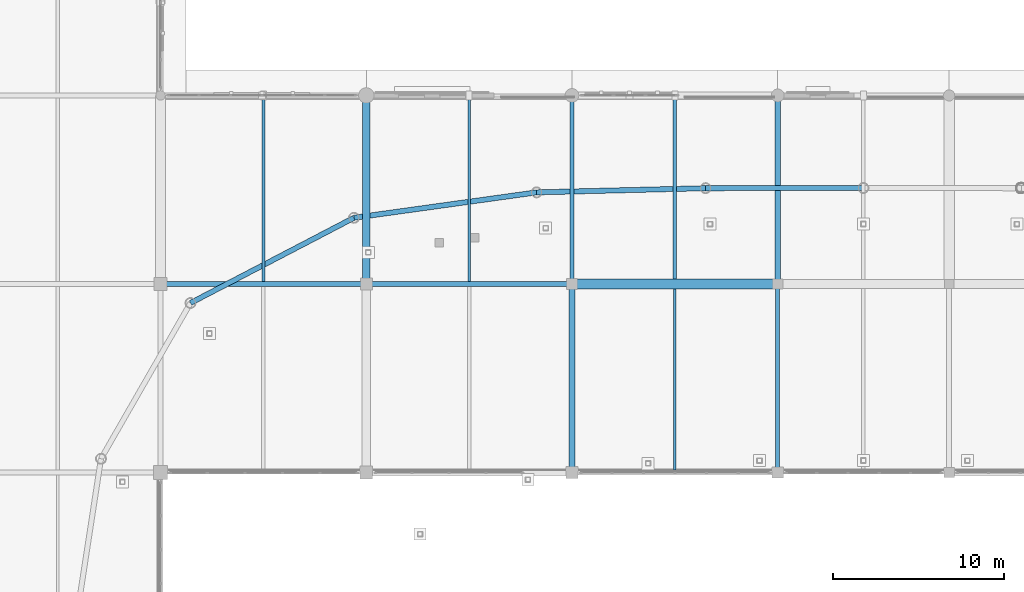
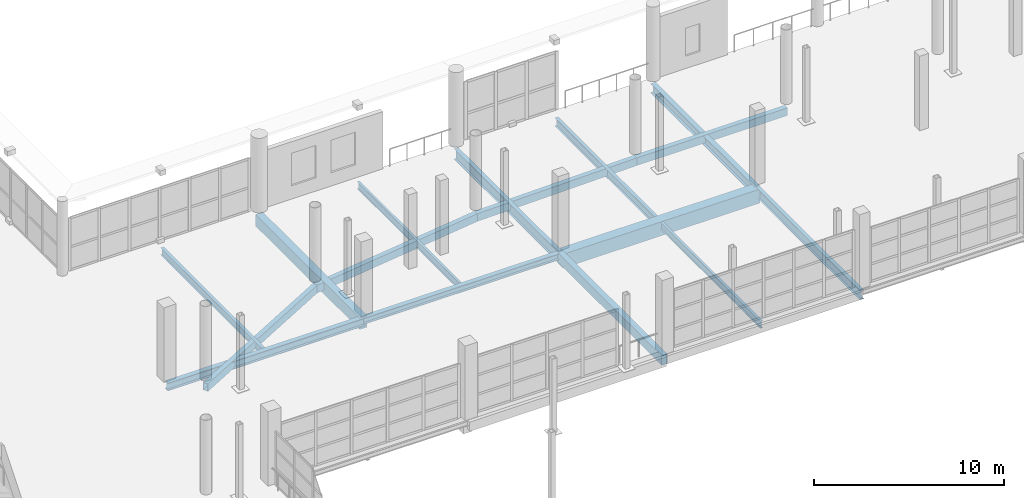
# One storey, part 48 of 143: 16 beams.
"""IFC4 building model written with IfcOpenShell, lengths in metres."""

from ifc_helpers import new_model, si_unit, direction, frame, origin, origin_2d, place, context, subcontext, project, spatial, rectangle, hollow_rectangle, i_section, extrude, material, material_profile, profile_set, type_object, element, save


model = new_model("IFC4")

# Units and contexts
model_context = context("Model", 3, precision=1e-05, world=origin(), true_north=direction((0.0, 1.0)))
body_context = subcontext(model_context, "Body", "Model", "MODEL_VIEW")
ifc_project = project(units=[si_unit("LENGTHUNIT", "METRE"), si_unit("AREAUNIT", "SQUARE_METRE"), si_unit("VOLUMEUNIT", "CUBIC_METRE"), si_unit("PLANEANGLEUNIT", "RADIAN"), si_unit("MASSUNIT", "GRAM", prefix="KILO")], contexts=[model_context])

# Site, building, storey
site_placement = place(None, origin())
site = spatial("IfcSite", under=ifc_project, at=site_placement, CompositionType="ELEMENT")
building_placement = place(site_placement, origin())
building = spatial("IfcBuilding", under=site, at=building_placement, Name="Luwafu Chhajja Arena", CompositionType="ELEMENT")
storey_placement = place(building_placement, frame((0.0, 0.0, 5.39990234375)))
storey = spatial("IfcBuildingStorey", under=building, at=storey_placement, Name="L01", CompositionType="ELEMENT", Elevation=5.39990234375)

# Beams
ifc_material_1 = material(Name="Concrete C35/45", Category="concrete")
ifc_material_profile_1 = material_profile(ifc_material_1, rectangle(XDim=0.35009765625, YDim=0.60009765625, at=origin_2d()), Name="RC 350x600")
ifc_profile_set_1 = profile_set([ifc_material_profile_1], Name="Concrete C35/45")
beam_type_1 = type_object("IfcBeamType", Name="Arcade Tie Beam RC 350x600", PredefinedType="BEAM", material=ifc_profile_set_1)
beam_1_placement = place(storey_placement, frame((82.0, 77.0, -0.6298828125), z_axis=(0.0, 1.0, 0.0), x_axis=(-1.0, 0.0, 0.0)))
element("IfcBeam", 1, at=beam_1_placement, inside=storey, type_object=beam_type_1, Name="L01 Grid Beam 8/H-J", PredefinedType="BEAM", context=body_context, shape_type="SweptSolid", body=[
    extrude(rectangle(XDim=0.35009765625, YDim=0.60009765625, at=origin_2d()), origin(), (0.0, 0.0, 1.0), 11.0),
])
ifc_material_profile_2 = material_profile(ifc_material_1, rectangle(XDim=0.60009765625, YDim=0.89990234375, at=origin_2d()), Name="RC 600x900")
ifc_profile_set_2 = profile_set([ifc_material_profile_2], Name="Concrete C35/45")
beam_type_2 = type_object("IfcBeamType", Name="Concourse Primary Girder RC 600x900", PredefinedType="BEAM", material=ifc_profile_set_2)
beam_2_placement = place(storey_placement, frame((82.0, 88.0, -0.77978515625), z_axis=(1.0, 0.0, 0.0), x_axis=(0.0, 1.0, 0.0)))
element("IfcBeam", 2, at=beam_2_placement, inside=storey, type_object=beam_type_2, Name="L01 Grid Beam 8-9/J", PredefinedType="BEAM", context=body_context, shape_type="SweptSolid", body=[
    extrude(rectangle(XDim=0.60009765625, YDim=0.89990234375, at=origin_2d()), origin(), (0.0, 0.0, 1.0), 12.0),
])
ifc_material_2 = material(Name="Steel S355", Category="steel")
ifc_material_profile_3 = material_profile(ifc_material_2, i_section(OverallWidth=0.15283203125, OverallDepth=0.45458984375, WebThickness=0.008056640625, FlangeThickness=0.01318359375, at=origin_2d()), Name="UB 457x152x60")
ifc_profile_set_3 = profile_set([ifc_material_profile_3], Name="Steel S355")
beam_type_3 = type_object("IfcBeamType", Name="Floor Joist UB 457x152x60", PredefinedType="JOIST", material=ifc_profile_set_3)
beam_3_placement = place(storey_placement, frame((76.0, 88.14990234375, -0.55712890625), z_axis=(0.0, 1.0, 0.0), x_axis=(-1.0, 0.0, 0.0)))
element("IfcBeam", 3, at=beam_3_placement, inside=storey, type_object=beam_type_3, Name="L01 Secondary Joist 7-8/J", PredefinedType="JOIST", context=body_context, shape_type="SweptSolid", body=[
    extrude(i_section(OverallWidth=0.15283203125, OverallDepth=0.45458984375, WebThickness=0.008056640625, FlangeThickness=0.01318359375, at=origin_2d()), origin(), (0.0, 0.0, 1.0), 10.767333984375),
])
beam_4_placement = place(storey_placement, frame((88.0, 77.14990234375, -0.55712890625), z_axis=(0.0, 1.0, 0.0), x_axis=(-1.0, 0.0, 0.0)))
element("IfcBeam", 4, at=beam_4_placement, inside=storey, type_object=beam_type_3, Name="L01 Secondary Joist 8-9/H", PredefinedType="JOIST", context=body_context, shape_type="SweptSolid", body=[
    extrude(i_section(OverallWidth=0.15283203125, OverallDepth=0.45458984375, WebThickness=0.008056640625, FlangeThickness=0.01318359375, at=origin_2d()), origin(), (0.0, 0.0, 1.0), 10.550048828125),
])
ifc_material_profile_4 = material_profile(ifc_material_2, i_section(OverallWidth=0.19140625, OverallDepth=0.4599609375, WebThickness=0.010009765625, FlangeThickness=0.01611328125, at=origin_2d()), Name="UB 457x191x82")
ifc_profile_set_4 = profile_set([ifc_material_profile_4], Name="Steel S355")
beam_type_4 = type_object("IfcBeamType", Name="Floor Joist UB 457x191x82", PredefinedType="JOIST", material=ifc_profile_set_4)
beam_5_placement = place(storey_placement, frame((64.0, 88.14990234375, -0.559814453125), z_axis=(0.0, 1.0, 0.0), x_axis=(-1.0, 0.0, 0.0)))
element("IfcBeam", 5, at=beam_5_placement, inside=storey, type_object=beam_type_4, Name="L01 Secondary Joist 6-7/J", PredefinedType="JOIST", context=body_context, shape_type="SweptSolid", body=[
    extrude(i_section(OverallWidth=0.19140625, OverallDepth=0.4599609375, WebThickness=0.010009765625, FlangeThickness=0.01611328125, at=origin_2d()), origin(), (0.0, 0.0, 1.0), 10.7001953125),
])
ifc_material_profile_5 = material_profile(ifc_material_2, i_section(OverallWidth=0.2099609375, OverallDepth=0.53662109375, WebThickness=0.0107421875, FlangeThickness=0.017333984375, at=origin_2d()), Name="UB 533x210x101")
ifc_profile_set_5 = profile_set([ifc_material_profile_5], Name="Steel S355")
beam_type_5 = type_object("IfcBeamType", Name="Floor Joist UB 533x210x101", PredefinedType="JOIST", material=ifc_profile_set_5)
beam_6_placement = place(storey_placement, frame((88.0, 88.300048828125, -0.59814453125), z_axis=(0.0, 1.0, 0.0), x_axis=(-1.0, 0.0, 0.0)))
element("IfcBeam", 6, at=beam_6_placement, inside=storey, type_object=beam_type_5, Name="L01 Secondary Joist 8-9/J", PredefinedType="JOIST", context=body_context, shape_type="SweptSolid", body=[
    extrude(i_section(OverallWidth=0.2099609375, OverallDepth=0.53662109375, WebThickness=0.0107421875, FlangeThickness=0.017333984375, at=origin_2d()), origin(), (0.0, 0.0, 1.0), 10.5),
])
ifc_material_profile_6 = material_profile(ifc_material_2, hollow_rectangle(XDim=0.300048828125, YDim=0.5, WallThickness=0.02001953125, at=origin_2d()), Name="RHS 500x300x20")
ifc_profile_set_6 = profile_set([ifc_material_profile_6], Name="Steel S355")
beam_type_6 = type_object("IfcBeamType", Name="Pleated Drum Spandrel Beam RHS 500x300", PredefinedType="SPANDREL", material=ifc_profile_set_6)
beam_7_placement = place(storey_placement, frame((99.0, 93.60009765625, -0.579833984375), z_axis=(-0.999999155928, -0.001299285621, 0.0), x_axis=(0.001299285621, -0.999999155928, 0.0)))
element("IfcBeam", 7, at=beam_7_placement, inside=storey, type_object=beam_type_6, Name="L01 Drum Ring Spandrel D09-D10", PredefinedType="SPANDREL", context=body_context, shape_type="SweptSolid", body=[
    extrude(hollow_rectangle(XDim=0.300048828125, YDim=0.5, WallThickness=0.02001953125, at=origin_2d()), origin(), (0.0, 0.0, 1.0), 9.207275390625),
])
beam_8_placement = place(storey_placement, frame((89.792724609375, 93.588134765625, -0.579833984375), z_axis=(-0.999695420837, -0.024679253567, 0.0), x_axis=(0.024679253567, -0.999695420837, 0.0)))
element("IfcBeam", 8, at=beam_8_placement, inside=storey, type_object=beam_type_6, Name="L01 Drum Ring Spandrel D10-D11", PredefinedType="SPANDREL", context=body_context, shape_type="SweptSolid", body=[
    extrude(hollow_rectangle(XDim=0.300048828125, YDim=0.5, WallThickness=0.02001953125, at=origin_2d()), origin(), (0.0, 0.0, 1.0), 9.86279296875),
])
beam_9_placement = place(storey_placement, frame((79.932861328125, 93.3447265625, -0.579833984375), z_axis=(-0.990458730054, -0.137809666058, 0.0), x_axis=(0.137809666058, -0.990458730054, 0.0)))
element("IfcBeam", 9, at=beam_9_placement, inside=storey, type_object=beam_type_6, Name="L01 Drum Ring Spandrel D11-D12", PredefinedType="SPANDREL", context=body_context, shape_type="SweptSolid", body=[
    extrude(hollow_rectangle(XDim=0.300048828125, YDim=0.5, WallThickness=0.02001953125, at=origin_2d()), origin(), (0.0, 0.0, 1.0), 10.75341796875),
])
beam_10_placement = place(storey_placement, frame((69.281982421875, 91.86279296875, -0.579833984375), z_axis=(-0.886755170812, -0.462239404463, 0.0), x_axis=(0.462239404463, -0.886755170812, 0.0)))
element("IfcBeam", 10, at=beam_10_placement, inside=storey, type_object=beam_type_6, Name="L01 Drum Ring Spandrel D12-D13", PredefinedType="SPANDREL", context=body_context, shape_type="SweptSolid", body=[
    extrude(hollow_rectangle(XDim=0.300048828125, YDim=0.5, WallThickness=0.02001953125, at=origin_2d()), origin(), (0.0, 0.0, 1.0), 10.756103515625),
])
ifc_material_profile_7 = material_profile(ifc_material_2, i_section(OverallWidth=0.300048828125, OverallDepth=0.5, WebThickness=0.014404296875, FlangeThickness=0.028076171875, at=origin_2d()), Name="HEB 500")
ifc_profile_set_7 = profile_set([ifc_material_profile_7], Name="Steel S355")
beam_type_7 = type_object("IfcBeamType", Name="Steel Atrium Tie Girder HEB 500", PredefinedType="BEAM", material=ifc_profile_set_7)
beam_11_placement = place(storey_placement, frame((58.0, 88.0, -0.579833984375), z_axis=(1.0, 0.0, 0.0), x_axis=(0.0, 1.0, 0.0)))
element("IfcBeam", 11, at=beam_11_placement, inside=storey, type_object=beam_type_7, Name="L01 Grid Beam 6-7/J", PredefinedType="BEAM", context=body_context, shape_type="SweptSolid", body=[
    extrude(i_section(OverallWidth=0.300048828125, OverallDepth=0.5, WebThickness=0.014404296875, FlangeThickness=0.028076171875, at=origin_2d()), origin(), (0.0, 0.0, 1.0), 12.0),
])
ifc_material_profile_8 = material_profile(ifc_material_2, i_section(OverallWidth=0.253662109375, OverallDepth=0.68359375, WebThickness=0.012451171875, FlangeThickness=0.01904296875, at=origin_2d()), Name="UB 686x254x140")
ifc_profile_set_8 = profile_set([ifc_material_profile_8], Name="Steel S355")
beam_type_8 = type_object("IfcBeamType", Name="Steel Concourse Girder UB 686x254x140", PredefinedType="BEAM", material=ifc_profile_set_8)
beam_12_placement = place(storey_placement, frame((82.0, 88.0, -0.671630859375), z_axis=(0.0, 1.0, 0.0), x_axis=(-1.0, 0.0, 0.0)))
element("IfcBeam", 12, at=beam_12_placement, inside=storey, type_object=beam_type_8, Name="L01 Grid Beam 8/J-K", PredefinedType="BEAM", context=body_context, shape_type="SweptSolid", body=[
    extrude(i_section(OverallWidth=0.253662109375, OverallDepth=0.68359375, WebThickness=0.012451171875, FlangeThickness=0.01904296875, at=origin_2d()), origin(), (0.0, 0.0, 1.0), 11.0),
])
ifc_material_profile_9 = material_profile(ifc_material_2, i_section(OverallWidth=0.300048828125, OverallDepth=0.60009765625, WebThickness=0.015380859375, FlangeThickness=0.030029296875, at=origin_2d()), Name="HEB 600")
ifc_profile_set_9 = profile_set([ifc_material_profile_9], Name="Steel S355")
beam_type_9 = type_object("IfcBeamType", Name="Steel Gallery Girder HEB 600", PredefinedType="BEAM", material=ifc_profile_set_9)
beam_13_placement = place(storey_placement, frame((94.0, 88.0, -0.6298828125), z_axis=(0.0, 1.0, 0.0), x_axis=(-1.0, 0.0, 0.0)))
element("IfcBeam", 13, at=beam_13_placement, inside=storey, type_object=beam_type_9, Name="L01 Grid Beam 9/J-K", PredefinedType="BEAM", context=body_context, shape_type="SweptSolid", body=[
    extrude(i_section(OverallWidth=0.300048828125, OverallDepth=0.60009765625, WebThickness=0.015380859375, FlangeThickness=0.030029296875, at=origin_2d()), origin(), (0.0, 0.0, 1.0), 11.0),
])
ifc_material_profile_10 = material_profile(ifc_material_2, i_section(OverallWidth=0.22900390625, OverallDepth=0.6123046875, WebThickness=0.011962890625, FlangeThickness=0.01953125, at=origin_2d()), Name="UB 610x229x125")
ifc_profile_set_10 = profile_set([ifc_material_profile_10], Name="Steel S355")
beam_type_10 = type_object("IfcBeamType", Name="Steel Mezzanine Girder UB 610x229x125", PredefinedType="BEAM", material=ifc_profile_set_10)
beam_14_placement = place(storey_placement, frame((94.0, 77.0, -0.635986328125), z_axis=(0.0, 1.0, 0.0), x_axis=(-1.0, 0.0, 0.0)))
element("IfcBeam", 14, at=beam_14_placement, inside=storey, type_object=beam_type_10, Name="L01 Grid Beam 9/H-J", PredefinedType="BEAM", context=body_context, shape_type="SweptSolid", body=[
    extrude(i_section(OverallWidth=0.22900390625, OverallDepth=0.6123046875, WebThickness=0.011962890625, FlangeThickness=0.01953125, at=origin_2d()), origin(), (0.0, 0.0, 1.0), 11.0),
])
ifc_material_profile_11 = material_profile(ifc_material_2, i_section(OverallWidth=0.300048828125, OverallDepth=0.39990234375, WebThickness=0.013427734375, FlangeThickness=0.02392578125, at=origin_2d()), Name="HEB 400")
ifc_profile_set_11 = profile_set([ifc_material_profile_11], Name="Steel S355")
beam_type_11 = type_object("IfcBeamType", Name="Steel Rigging Grid Beam HEB 400", PredefinedType="BEAM", material=ifc_profile_set_11)
beam_15_placement = place(storey_placement, frame((70.0, 88.0, -0.52978515625), z_axis=(1.0, 0.0, 0.0), x_axis=(0.0, 1.0, 0.0)))
element("IfcBeam", 15, at=beam_15_placement, inside=storey, type_object=beam_type_11, Name="L01 Grid Beam 7-8/J", PredefinedType="BEAM", context=body_context, shape_type="SweptSolid", body=[
    extrude(i_section(OverallWidth=0.300048828125, OverallDepth=0.39990234375, WebThickness=0.013427734375, FlangeThickness=0.02392578125, at=origin_2d()), origin(), (0.0, 0.0, 1.0), 12.0),
])
ifc_material_profile_12 = material_profile(ifc_material_1, rectangle(XDim=0.449951171875, YDim=0.75, at=origin_2d()), Name="RC 450x750")
ifc_profile_set_12 = profile_set([ifc_material_profile_12], Name="Concrete C35/45")
beam_type_12 = type_object("IfcBeamType", Name="Wing Primary Beam RC 450x750", PredefinedType="BEAM", material=ifc_profile_set_12)
beam_16_placement = place(storey_placement, frame((70.0, 88.0, -0.704833984375), z_axis=(0.0, 1.0, 0.0), x_axis=(-1.0, 0.0, 0.0)))
element("IfcBeam", 16, at=beam_16_placement, inside=storey, type_object=beam_type_12, Name="L01 Grid Beam 7/J-K", PredefinedType="BEAM", context=body_context, shape_type="SweptSolid", body=[
    extrude(rectangle(XDim=0.449951171875, YDim=0.75, at=origin_2d()), origin(), (0.0, 0.0, 1.0), 11.0),
])

save(model, "model.ifc")
